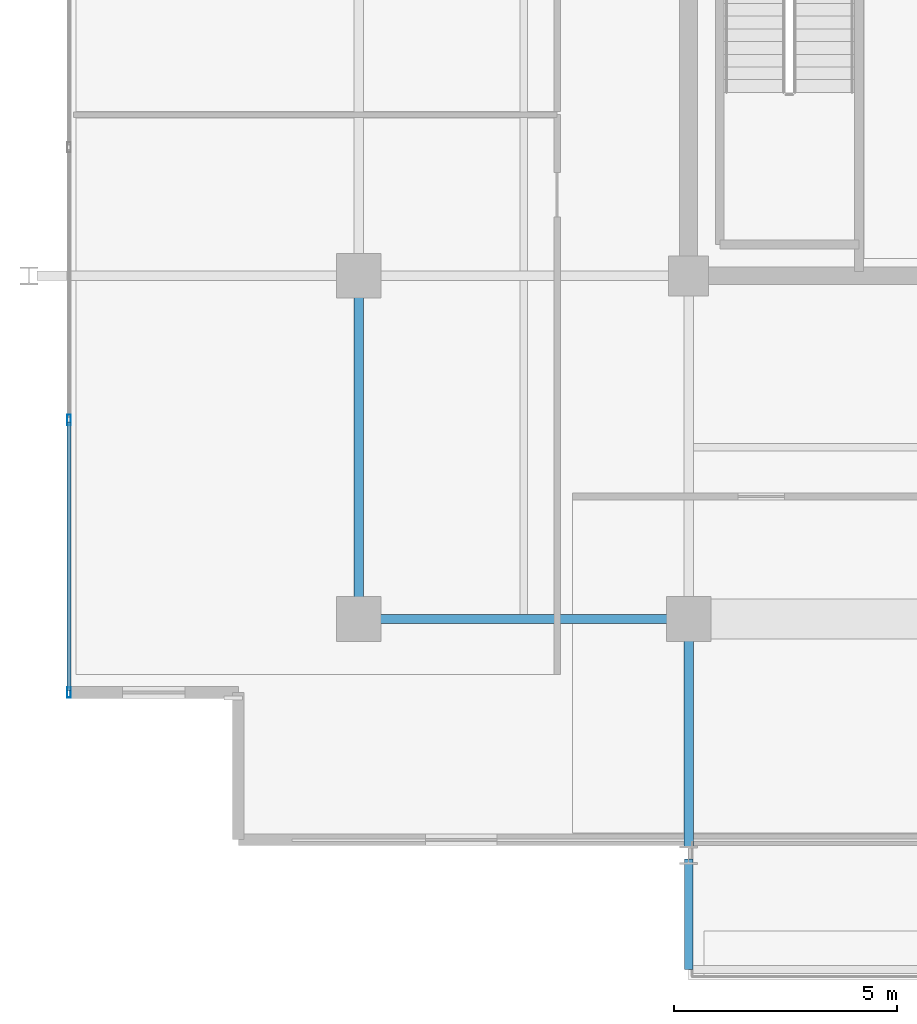
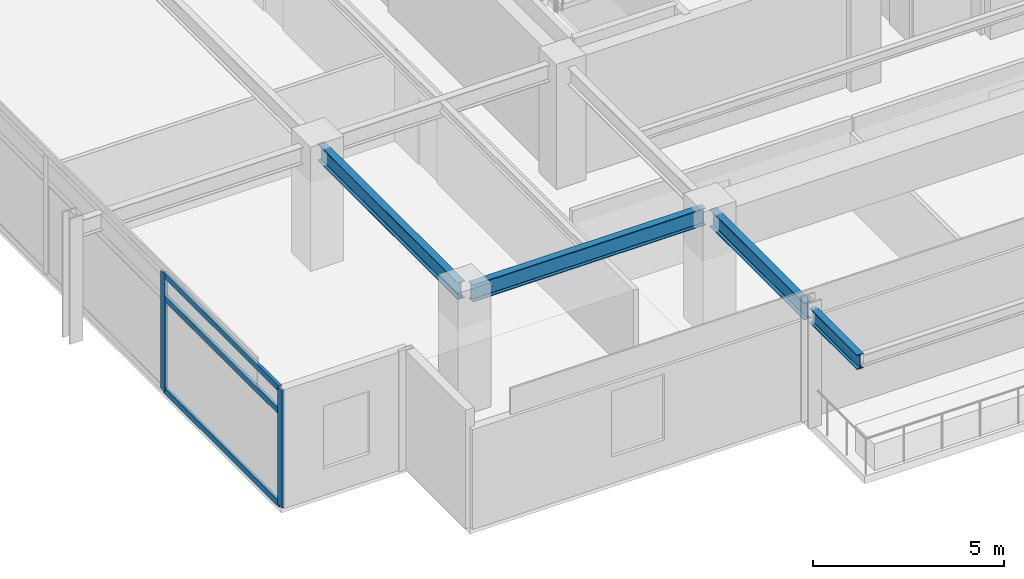
# One storey, part 2 of 20: 5 members, 4 beams, 1 element without a shape of its own.
"""IFC4 building model written with IfcOpenShell, lengths in metres."""

import ifcopenshell
import ifcopenshell.guid

model = None  # the IFC model being written
_history = None  # IfcOwnerHistory: only IFC2X3 demands one
_inside = {}  # id of a spatial element -> (the spatial element, [elements in it])
_under = {}  # id of a project, library or spatial element -> (it, [spatial elements below it])
_declared = {}  # id of a project -> (the project, [libraries it declares])
_typed = {}  # id of a type object -> (the type object, [elements of that type])
_made_of = {}  # id of a material, layer set ... -> (it, [elements and type objects made of it])


def new_model(schema):
    """Start an empty IFC model of exactly this schema.

    Asked for "IFC4X3", IfcOpenShell would pick the latest addendum, in which some entities
    have other attributes; the version numbers below select the first issue.
    IFC2X3 requires an IfcOwnerHistory on every rooted entity: one is made here for all.
    """
    global model, _history
    if schema == "IFC4X3":
        model = ifcopenshell.file(schema_version=(4, 3, 0, 0))
    else:
        model = ifcopenshell.file(schema=schema)
    _inside.clear()
    _under.clear()
    _declared.clear()
    _typed.clear()
    _made_of.clear()
    _history = None
    if model.schema == "IFC2X3":
        org = make("IfcOrganization", Name="unknown")
        user = make(
            "IfcPersonAndOrganization",
            ThePerson=make("IfcPerson", FamilyName="unknown"),
            TheOrganization=org,
        )
        app = make(
            "IfcApplication",
            ApplicationDeveloper=org,
            Version="unknown",
            ApplicationFullName="unknown",
            ApplicationIdentifier="unknown",
        )
        _history = make(
            "IfcOwnerHistory",
            OwningUser=user,
            OwningApplication=app,
            ChangeAction="ADDED",
            CreationDate=0,
        )
    return model


def make(cls, **values):
    """One entity of the class cls with the attributes given. An attribute that is None is left unset."""
    return model.create_entity(
        cls, **{name: value for name, value in values.items() if value is not None}
    )


def rooted(cls, **values):
    """An entity with a GlobalId (a new one), such as an element, a storey or a relation."""
    return make(cls, GlobalId=ifcopenshell.guid.new(), OwnerHistory=_history, **values)


def si_unit(unit_type, name, prefix=None):
    """IfcSIUnit, for example si_unit("LENGTHUNIT", "METRE", prefix="MILLI")."""
    return make("IfcSIUnit", UnitType=unit_type, Prefix=prefix, Name=name)


def assignment(units):
    """IfcUnitAssignment: the units of a project."""
    return None if units is None else make("IfcUnitAssignment", Units=units)


def point(xyz):
    """IfcCartesianPoint."""
    return None if xyz is None else make("IfcCartesianPoint", Coordinates=xyz)


def direction(xyz):
    """IfcDirection."""
    return None if xyz is None else make("IfcDirection", DirectionRatios=xyz)


def frame(location, z_axis=None, x_axis=None):
    """IfcAxis2Placement3D, a coordinate frame: its origin and axes. An axis left out is left unset."""
    return make(
        "IfcAxis2Placement3D",
        Location=point(location),
        Axis=direction(z_axis),
        RefDirection=direction(x_axis),
    )


def frame_2d(location, x_axis=None):
    """IfcAxis2Placement2D, a coordinate frame in the plane: its origin and x axis."""
    return make(
        "IfcAxis2Placement2D", Location=point(location), RefDirection=direction(x_axis)
    )


def origin():
    """The frame at (0, 0, 0) with its axes left unset."""
    return frame((0.0, 0.0, 0.0))


def origin_2d():
    """The frame at (0, 0) in the plane with its x axis left unset."""
    return frame_2d((0.0, 0.0))


def place(relative_to, where):
    """IfcLocalPlacement: puts the frame where relative to a parent placement (None: the world)."""
    return make(
        "IfcLocalPlacement", PlacementRelTo=relative_to, RelativePlacement=where
    )


def context(
    kind, dimensions, precision=None, world=None, true_north=None, identifier=None
):
    """IfcGeometricRepresentationContext, for example the 3D "Model" context."""
    return make(
        "IfcGeometricRepresentationContext",
        ContextIdentifier=identifier,
        ContextType=kind,
        CoordinateSpaceDimension=dimensions,
        Precision=precision,
        WorldCoordinateSystem=world,
        TrueNorth=true_north,
    )


def subcontext(parent, identifier, kind, view, scale=None):
    """IfcGeometricRepresentationSubContext, for example "Body" below "Model"."""
    return make(
        "IfcGeometricRepresentationSubContext",
        ContextIdentifier=identifier,
        ContextType=kind,
        ParentContext=parent,
        TargetScale=scale,
        TargetView=view,
    )


def project(units=None, contexts=None):
    """IfcProject with its units and contexts."""
    return rooted(
        "IfcProject",
        Name="project",
        RepresentationContexts=contexts,
        UnitsInContext=assignment(units),
    )


def spatial(cls, under=None, at=None, **own):
    """A site, building, storey or space (cls), placed at a placement, below another one or the project."""
    s = rooted(cls, ObjectPlacement=at, **own)
    if under is not None:
        _under.setdefault(under.id(), (under, []))[1].append(s)
    return s


def profile(cls, at=None, kind="AREA", **sizes):
    """A parametric profile (cls). Its sizes go by their IFC names, for example OverallWidth=200.0."""
    return make(cls, ProfileType=kind, Position=at, **sizes)


def hollow_rectangle(**sizes):
    """IfcRectangleHollowProfileDef."""
    return profile("IfcRectangleHollowProfileDef", **sizes)


def i_section(**sizes):
    """IfcIShapeProfileDef."""
    return profile("IfcIShapeProfileDef", **sizes)


def extrude(swept, where, along, depth):
    """IfcExtrudedAreaSolid: the profile swept, set in the frame where, extruded along a direction by depth."""
    return make(
        "IfcExtrudedAreaSolid",
        SweptArea=swept,
        Position=where,
        ExtrudedDirection=direction(along),
        Depth=depth,
    )


def shape(context_of_items, identifier, shape_type, items):
    """IfcShapeRepresentation: the items that make up one representation, for example the "Body"."""
    return make(
        "IfcShapeRepresentation",
        ContextOfItems=context_of_items,
        RepresentationIdentifier=identifier,
        RepresentationType=shape_type,
        Items=items,
    )


def material(Name=None, Category=None):
    """IfcMaterial."""
    return make("IfcMaterial", Name=Name, Category=Category)


def material_profile(
    of_material, cross_section, Name=None, Category=None, Priority=None
):
    """IfcMaterialProfile: a cross section and its material."""
    return make(
        "IfcMaterialProfile",
        Name=Name,
        Material=of_material,
        Profile=cross_section,
        Priority=Priority,
        Category=Category,
    )


def profile_set(profiles, Name=None, composite=None):
    """IfcMaterialProfileSet."""
    return make(
        "IfcMaterialProfileSet",
        Name=Name,
        MaterialProfiles=profiles,
        CompositeProfile=composite,
    )


def made_of(thing, what):
    """Note that an element or type object is made of a material, layer set ...; save() writes the relation."""
    if what is not None:
        _made_of.setdefault(what.id(), (what, []))[1].append(thing)
    return thing


def type_object(cls, material=None, **own):
    """A type object (cls), such as IfcWallType, which elements share."""
    return made_of(rooted(cls, **own), material)


def element(
    cls,
    number,
    at=None,
    inside=None,
    cuts=None,
    type_object=None,
    material=None,
    context=None,
    identifier="Body",
    shape_type=None,
    held_by="IfcProductDefinitionShape",
    body=None,
    shapes=None,
    **own,
):
    """One element of the class cls, such as IfcWall. Its Tag is "e" and its number.

    at: its placement. inside: the storey or other place that contains it. cuts: it is an
    opening in that element (IfcRelVoidsElement). A single representation is given by context,
    identifier, shape_type and body (its items); several are given by shapes. held_by: the class
    of the entity that holds the representations. save() writes the other relations.
    """
    e = rooted(cls, Tag="e%d" % number, ObjectPlacement=at, **own)
    if body is not None:
        shapes = [shape(context, identifier, shape_type, body)]
    if shapes is not None:
        e.Representation = make(held_by, Representations=shapes)
    if inside is not None:
        _inside.setdefault(inside.id(), (inside, []))[1].append(e)
    if cuts is not None:
        rooted(
            "IfcRelVoidsElement", RelatingBuildingElement=cuts, RelatedOpeningElement=e
        )
    if type_object is not None:
        _typed.setdefault(type_object.id(), (type_object, []))[1].append(e)
    return made_of(e, material)


def aggregate(whole, parts):
    """IfcRelAggregates: a whole, such as a stair, and the parts it consists of."""
    return rooted("IfcRelAggregates", RelatingObject=whole, RelatedObjects=parts)


def save(model, path):
    """Write the relations noted so far, then the file.

    IfcRelAggregates (storeys below a building ...), IfcRelContainedInSpatialStructure (elements
    in a storey), IfcRelDefinesByType, IfcRelAssociatesMaterial and IfcRelDeclares: one each for
    every whole, place, type object, material and project.
    """
    for whole, parts in _under.values():
        aggregate(whole, parts)
    for where, things in _inside.values():
        rooted(
            "IfcRelContainedInSpatialStructure",
            RelatedElements=things,
            RelatingStructure=where,
        )
    for kind, things in _typed.values():
        rooted("IfcRelDefinesByType", RelatedObjects=things, RelatingType=kind)
    for what, things in _made_of.values():
        rooted("IfcRelAssociatesMaterial", RelatedObjects=things, RelatingMaterial=what)
    for by, libraries in _declared.values():
        rooted("IfcRelDeclares", RelatingContext=by, RelatedDefinitions=libraries)
    model.write(path)


model = new_model("IFC4")

# Units and contexts
model_context = context("Model", 3, precision=1e-05, world=origin(), true_north=direction((0.0, 1.0)))
body_context = subcontext(model_context, "Body", "Model", "MODEL_VIEW")
ifc_project = project(units=[si_unit("LENGTHUNIT", "METRE"), si_unit("AREAUNIT", "SQUARE_METRE"), si_unit("VOLUMEUNIT", "CUBIC_METRE"), si_unit("PLANEANGLEUNIT", "RADIAN"), si_unit("MASSUNIT", "GRAM", prefix="KILO")], contexts=[model_context])

# Site, building, storey
site_placement = place(None, origin())
site = spatial("IfcSite", under=ifc_project, at=site_placement, CompositionType="ELEMENT")
building_placement = place(site_placement, origin())
building = spatial("IfcBuilding", under=site, at=building_placement, Name="Kovane Verandah Tower", CompositionType="ELEMENT")
storey_placement = place(building_placement, frame((0.0, 0.0, 322.800048828125)))
storey = spatial("IfcBuildingStorey", under=building, at=storey_placement, Name="L75", CompositionType="ELEMENT", Elevation=322.800048828125)

# Beams
ifc_material_1 = material(Name="Steel S355", Category="steel")
ifc_material_profile_1 = material_profile(ifc_material_1, i_section(OverallWidth=0.2119140625, OverallDepth=0.54443359375, WebThickness=0.0126953125, FlangeThickness=0.021240234375, FilletRadius=0.0126953125, at=origin_2d()), Name="UB533x210x122")
ifc_profile_set_1 = profile_set([ifc_material_profile_1], Name="Steel S355")
beam_type_1 = type_object("IfcBeamType", Name="BM-UB533x122", PredefinedType="BEAM", material=ifc_profile_set_1)
beam_1_placement = place(storey_placement, frame((21.780029296875, 10.800048828125, 3.5126953125), z_axis=(1.0, 0.0, 0.0), x_axis=(0.0, 1.0, 0.0)))
element("IfcBeam", 1, at=beam_1_placement, inside=storey, type_object=beam_type_1, Name="L75 Primary Tower Girder G-RS1", PredefinedType="BEAM", context=body_context, shape_type="SweptSolid", body=[
    extrude(i_section(OverallWidth=0.2119140625, OverallDepth=0.54443359375, WebThickness=0.0126953125, FlangeThickness=0.021240234375, FilletRadius=0.0126953125, at=origin_2d()), origin(), (0.0, 0.0, 1.0), 7.0400390625),
])
beam_2_placement = place(storey_placement, frame((21.60009765625, 10.97998046875, 3.5126953125), z_axis=(0.0, 1.0, 0.0), x_axis=(-1.0, 0.0, 0.0)))
element("IfcBeam", 2, at=beam_2_placement, inside=storey, type_object=beam_type_1, Name="L75 Primary Tower Girder G-RW1", PredefinedType="BEAM", context=body_context, shape_type="SweptSolid", body=[
    extrude(i_section(OverallWidth=0.2119140625, OverallDepth=0.54443359375, WebThickness=0.0126953125, FlangeThickness=0.021240234375, FilletRadius=0.0126953125, at=origin_2d()), origin(), (0.0, 0.0, 1.0), 7.340087890625),
])
beam_3_placement = place(storey_placement, frame((29.0, 10.6201171875, 3.48779296875), z_axis=(0.0, -1.0, 0.0), x_axis=(1.0, 0.0, 0.0)))
element("IfcBeam", 3, at=beam_3_placement, inside=storey, type_object=beam_type_1, Name="L75 Primary Tower Girder G-VS1", PredefinedType="BEAM", context=body_context, shape_type="SweptSolid", body=[
    extrude(i_section(OverallWidth=0.2119140625, OverallDepth=0.54443359375, WebThickness=0.0126953125, FlangeThickness=0.021240234375, FilletRadius=0.0126953125, at=origin_2d()), origin(), (0.0, 0.0, 1.0), 4.940185546875),
])

# Curtain wall, members
ifc_material_2 = material(Name="Champagne Anodised Aluminium Frame with Low-E Clear Laminated Glass", Category="aluminium")
curtain_wall_type = type_object("IfcCurtainWallType", Name="CW-SYS-05-HIGH", PredefinedType="NOTDEFINED", material=ifc_material_2)
curtain_wall_placement = place(storey_placement, origin())
curtain_wall = element("IfcCurtainWall", 4, at=curtain_wall_placement, inside=storey, type_object=curtain_wall_type, Name="L75 W Unitised Curtain Wall", PredefinedType="NOTDEFINED")
ifc_material_3 = material(Name="Champagne Anodised Aluminium 6063-T6", Category="aluminium")
ifc_material_profile_2 = material_profile(ifc_material_3, hollow_rectangle(XDim=0.0849609375, YDim=0.22998046875, WallThickness=0.00390625, at=origin_2d()), Name="AL85x230x4")
ifc_profile_set_2 = profile_set([ifc_material_profile_2], Name="Champagne Anodised Aluminium 6063-T6")
member_type_1 = type_object("IfcMemberType", Name="CW-MUL-85x230", PredefinedType="MULLION", material=ifc_profile_set_2)
member_1_placement = place(storey_placement, frame((15.10009765625, 15.2666015625, 0.02001953125), z_axis=(0.0, 0.0, 1.0), x_axis=(-1.0, 0.0, 0.0)))
member_1 = element("IfcMember", 5, at=member_1_placement, type_object=member_type_1, Name="L75 W Unitised Curtain Wall Mullion 6", PredefinedType="MULLION", context=body_context, shape_type="SweptSolid", body=[
    extrude(hollow_rectangle(XDim=0.0849609375, YDim=0.22998046875, WallThickness=0.00390625, at=origin_2d()), origin(), (0.0, 0.0, 1.0), 3.744873046875),
])
member_2_placement = place(storey_placement, frame((15.10009765625, 9.14990234375, 0.02001953125), z_axis=(0.0, 0.0, 1.0), x_axis=(-1.0, 0.0, 0.0)))
member_2 = element("IfcMember", 6, at=member_2_placement, type_object=member_type_1, Name="L75 W Unitised Curtain Wall Mullion 7", PredefinedType="MULLION", context=body_context, shape_type="SweptSolid", body=[
    extrude(hollow_rectangle(XDim=0.0849609375, YDim=0.22998046875, WallThickness=0.00390625, at=origin_2d()), origin(), (0.0, 0.0, 1.0), 3.744873046875),
])
ifc_material_profile_3 = material_profile(ifc_material_3, hollow_rectangle(XDim=0.0849609375, YDim=0.18994140625, WallThickness=0.00390625, at=origin_2d()), Name="AL85x190x4")
ifc_profile_set_3 = profile_set([ifc_material_profile_3], Name="Champagne Anodised Aluminium 6063-T6")
member_type_2 = type_object("IfcMemberType", Name="CW-TRN-85x190", PredefinedType="USERDEFINED", material=ifc_profile_set_3)
member_3_placement = place(storey_placement, frame((15.10009765625, 15.216796875, 0.050048828125), z_axis=(0.0, -1.0, 0.0), x_axis=(1.0, 0.0, 0.0)))
member_3 = element("IfcMember", 7, at=member_3_placement, type_object=member_type_2, Name="L75 W Unitised Curtain Wall Transom TB Bay 6", ObjectType="TRANSOM", PredefinedType="USERDEFINED", context=body_context, shape_type="SweptSolid", body=[
    extrude(hollow_rectangle(XDim=0.0849609375, YDim=0.18994140625, WallThickness=0.00390625, at=origin_2d()), origin(), (0.0, 0.0, 1.0), 6.016845703125),
])
member_4_placement = place(storey_placement, frame((15.10009765625, 15.216796875, 3.0048828125), z_axis=(0.0, -1.0, 0.0), x_axis=(1.0, 0.0, 0.0)))
member_4 = element("IfcMember", 8, at=member_4_placement, type_object=member_type_2, Name="L75 W Unitised Curtain Wall Transom TM Bay 6", ObjectType="TRANSOM", PredefinedType="USERDEFINED", context=body_context, shape_type="SweptSolid", body=[
    extrude(hollow_rectangle(XDim=0.0849609375, YDim=0.18994140625, WallThickness=0.00390625, at=origin_2d()), origin(), (0.0, 0.0, 1.0), 6.016845703125),
])
member_5_placement = place(storey_placement, frame((15.10009765625, 15.216796875, 3.73486328125), z_axis=(0.0, -1.0, 0.0), x_axis=(1.0, 0.0, 0.0)))
member_5 = element("IfcMember", 9, at=member_5_placement, type_object=member_type_2, Name="L75 W Unitised Curtain Wall Transom TT Bay 6", ObjectType="TRANSOM", PredefinedType="USERDEFINED", context=body_context, shape_type="SweptSolid", body=[
    extrude(hollow_rectangle(XDim=0.0849609375, YDim=0.18994140625, WallThickness=0.00390625, at=origin_2d()), origin(), (0.0, 0.0, 1.0), 6.016845703125),
])
aggregate(curtain_wall, [member_1, member_2, member_3, member_4, member_5])

# Beam
ifc_material_profile_4 = material_profile(ifc_material_1, i_section(OverallWidth=0.19287109375, OverallDepth=0.46728515625, WebThickness=0.011474609375, FlangeThickness=0.01953125, FilletRadius=0.01025390625, at=origin_2d()), Name="UB457x191x98")
ifc_profile_set_4 = profile_set([ifc_material_profile_4], Name="Steel S355")
beam_type_2 = type_object("IfcBeamType", Name="JST-UB457x98", PredefinedType="JOIST", material=ifc_profile_set_4)
beam_4_placement = place(storey_placement, frame((29.0, 5.419921875, 3.5263671875), z_axis=(0.0, -1.0, 0.0), x_axis=(1.0, 0.0, 0.0)))
element("IfcBeam", 10, at=beam_4_placement, inside=storey, type_object=beam_type_2, Name="L75 South Planter Girder 1", PredefinedType="JOIST", context=body_context, shape_type="SweptSolid", body=[
    extrude(i_section(OverallWidth=0.19287109375, OverallDepth=0.46728515625, WebThickness=0.011474609375, FlangeThickness=0.01953125, FilletRadius=0.01025390625, at=origin_2d()), origin(), (0.0, 0.0, 1.0), 2.485595703125),
])

save(model, "model.ifc")
